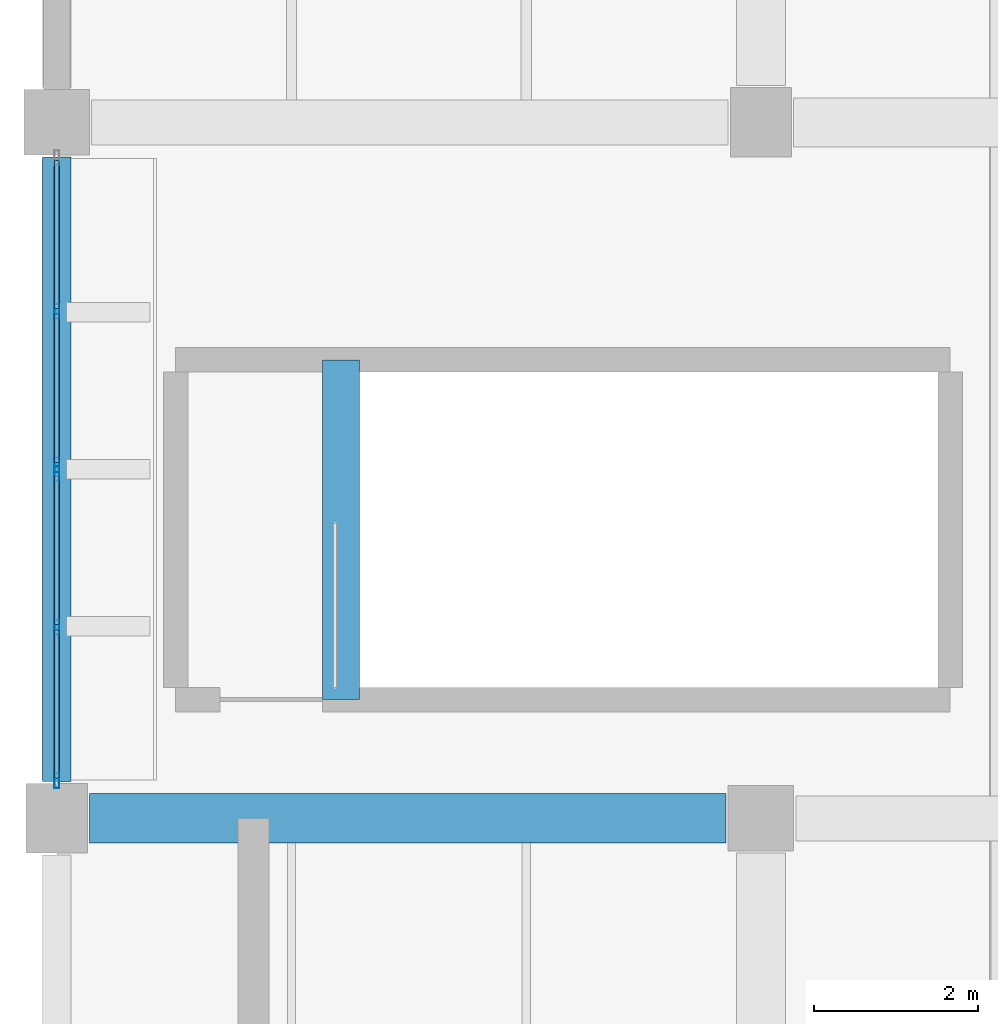
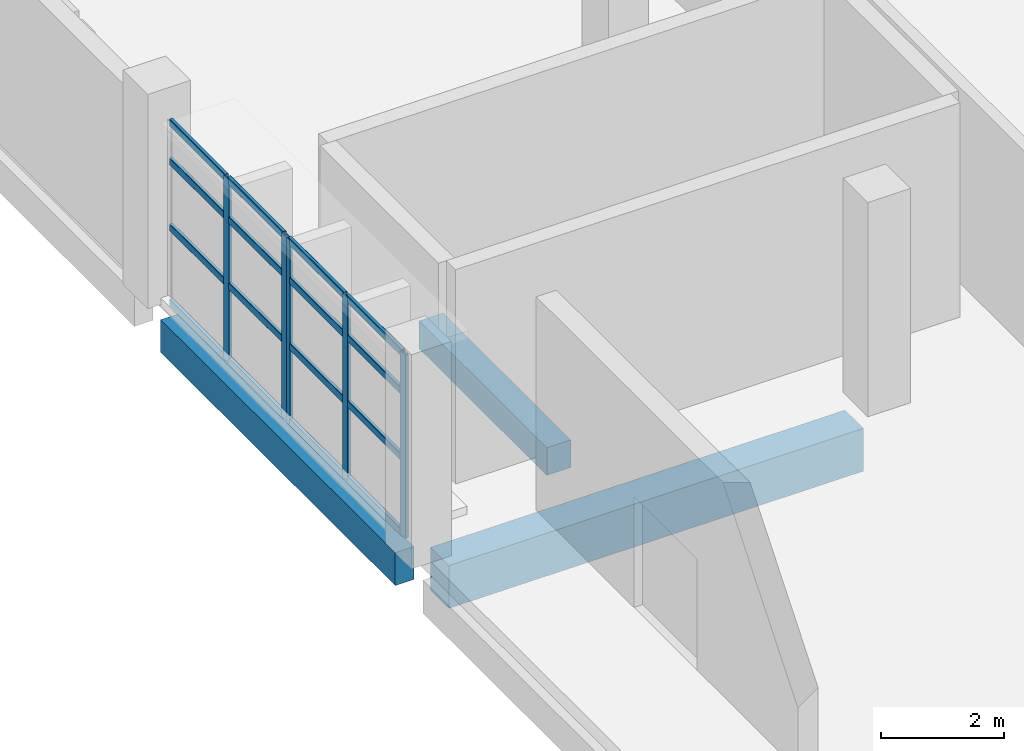
# One storey, part 40 of 76: 21 members, 3 beams, 2 elements without a shape of their own.
"""IFC4 building model written with IfcOpenShell, lengths in metres."""

from ifc_helpers import new_model, si_unit, direction, frame, origin, origin_2d, place, context, subcontext, project, spatial, rectangle, hollow_rectangle, extrude, material, material_profile, profile_set, type_object, element, aggregate, save


model = new_model("IFC4")

# Units and contexts
model_context = context("Model", 3, precision=1e-05, world=origin(), true_north=direction((0.0, 1.0)))
body_context = subcontext(model_context, "Body", "Model", "MODEL_VIEW")
ifc_project = project(units=[si_unit("LENGTHUNIT", "METRE"), si_unit("AREAUNIT", "SQUARE_METRE"), si_unit("VOLUMEUNIT", "CUBIC_METRE"), si_unit("PLANEANGLEUNIT", "RADIAN"), si_unit("MASSUNIT", "GRAM", prefix="KILO")], contexts=[model_context])

# Site, building, storey
site_placement = place(None, origin())
site = spatial("IfcSite", under=ifc_project, at=site_placement, CompositionType="ELEMENT")
building_placement = place(site_placement, origin())
building = spatial("IfcBuilding", under=site, at=building_placement, Name="Varnakota Cinema and Media Centre", CompositionType="ELEMENT")
storey_placement = place(building_placement, origin())
storey = spatial("IfcBuildingStorey", under=building, at=storey_placement, Name="L00", CompositionType="ELEMENT", Elevation=0.0)

# Beams
ifc_material_1 = material(Name="Concrete M40", Category="concrete")
ifc_material_profile_1 = material_profile(ifc_material_1, rectangle(XDim=0.449951171875, YDim=0.550048828125, at=origin_2d()), Name="RCB 450x550")
ifc_profile_set_1 = profile_set([ifc_material_profile_1], Name="Concrete M40")
beam_type_1 = type_object("IfcBeamType", Name="BM-RC-450x550", PredefinedType="BEAM", material=ifc_profile_set_1)
beam_1_placement = place(storey_placement, frame((3.469970703125, 62.449951171875, -0.27490234375), z_axis=(0.0, 1.0, 0.0), x_axis=(-1.0, 0.0, 0.0)))
element("IfcBeam", 1, at=beam_1_placement, inside=storey, type_object=beam_type_1, Name="L00 ST-B3 stair arrival trimmer beam", PredefinedType="BEAM", context=body_context, shape_type="SweptSolid", body=[
    extrude(rectangle(XDim=0.449951171875, YDim=0.550048828125, at=origin_2d()), origin(), (0.0, 0.0, 1.0), 4.150146484375),
])
ifc_material_2 = material(Name="Concrete M35", Category="concrete")
ifc_material_profile_2 = material_profile(ifc_material_2, rectangle(XDim=0.60009765625, YDim=0.85009765625, at=origin_2d()), Name="RCB 600x850")
ifc_profile_set_2 = profile_set([ifc_material_profile_2], Name="Concrete M35")
beam_type_2 = type_object("IfcBeamType", Name="BM-RC-600x850", PredefinedType="BEAM", material=ifc_profile_set_2)
beam_2_placement = place(storey_placement, frame((0.39990234375, 61.0, -0.705078125), z_axis=(1.0, 0.0, 0.0), x_axis=(0.0, 1.0, 0.0)))
element("IfcBeam", 2, at=beam_2_placement, inside=storey, type_object=beam_type_2, Name="L00 girder A-B/8", PredefinedType="BEAM", context=body_context, shape_type="SweptSolid", body=[
    extrude(rectangle(XDim=0.60009765625, YDim=0.85009765625, at=origin_2d()), origin(), (0.0, 0.0, 1.0), 7.775146484375),
])
ifc_material_3 = material(Name="Concrete M40", Category="concrete")
ifc_material_profile_3 = material_profile(ifc_material_3, rectangle(XDim=0.35009765625, YDim=0.64990234375, at=origin_2d()), Name="RCB 350x650")
ifc_profile_set_3 = profile_set([ifc_material_profile_3], Name="Concrete M40")
beam_type_3 = type_object("IfcBeamType", Name="BM-SP-350x650", PredefinedType="SPANDREL", material=ifc_profile_set_3)
beam_3_placement = place(storey_placement, frame((0.0, 61.449951171875, -0.60498046875), z_axis=(0.0, 1.0, 0.0), x_axis=(-1.0, 0.0, 0.0)))
element("IfcBeam", 3, at=beam_3_placement, inside=storey, type_object=beam_type_3, Name="L00 girder A/8-9", PredefinedType="SPANDREL", context=body_context, shape_type="SweptSolid", body=[
    extrude(rectangle(XDim=0.35009765625, YDim=0.64990234375, at=origin_2d()), origin(), (0.0, 0.0, 1.0), 7.625),
])

# Curtain wall, members
ifc_material_4 = material(Name="Thermally broken anodised aluminium AW-6063", Category="aluminium")
curtain_wall_type = type_object("IfcCurtainWallType", Name="CW-STD-382x364", PredefinedType="USERDEFINED", material=ifc_material_4)
curtain_wall_1_placement = place(storey_placement, origin())
curtain_wall_1 = element("IfcCurtainWall", 4, at=curtain_wall_1_placement, inside=storey, type_object=curtain_wall_type, Name="L00 curtain wall CW-L00-V5-W-N-02-1", ObjectType="UNITISED CURTAIN WALL", PredefinedType="USERDEFINED")
ifc_material_5 = material(Name="Thermally broken anodised aluminium AW-6063", Category="aluminium")
ifc_material_profile_4 = material_profile(ifc_material_5, hollow_rectangle(XDim=0.06494140625, YDim=0.179931640625, WallThickness=0.00390625, InnerFilletRadius=0.00390625, OuterFilletRadius=0.008056640625, at=origin_2d()), Name="AL-MULLION 180x65x4")
ifc_profile_set_4 = profile_set([ifc_material_profile_4], Name="Thermally broken anodised aluminium AW-6063")
member_type_1 = type_object("IfcMemberType", Name="CWM-AL-180", PredefinedType="MULLION", material=ifc_profile_set_4)
member_1_placement = place(storey_placement, frame((0.0, 67.191162109375, 0.0), z_axis=(0.0, 0.0, 1.0), x_axis=(1.0, 0.0, 0.0)))
member_1 = element("IfcMember", 5, at=member_1_placement, type_object=member_type_1, Name="CW15 mullion 2", PredefinedType="MULLION", context=body_context, shape_type="SweptSolid", body=[
    extrude(hollow_rectangle(XDim=0.06494140625, YDim=0.179931640625, WallThickness=0.00390625, InnerFilletRadius=0.00390625, OuterFilletRadius=0.008056640625, at=origin_2d()), origin(), (0.0, 0.0, 1.0), 3.635009765625),
])
member_2_placement = place(storey_placement, frame((0.0, 65.31494140625, 0.0), z_axis=(0.0, 0.0, 1.0), x_axis=(1.0, 0.0, 0.0)))
member_2 = element("IfcMember", 6, at=member_2_placement, type_object=member_type_1, Name="CW15 mullion 3", PredefinedType="MULLION", context=body_context, shape_type="SweptSolid", body=[
    extrude(hollow_rectangle(XDim=0.06494140625, YDim=0.179931640625, WallThickness=0.00390625, InnerFilletRadius=0.00390625, OuterFilletRadius=0.008056640625, at=origin_2d()), origin(), (0.0, 0.0, 1.0), 3.635009765625),
])

curtain_wall_2_placement = place(storey_placement, origin())
curtain_wall_2 = element("IfcCurtainWall", 7, at=curtain_wall_2_placement, inside=storey, type_object=curtain_wall_type, Name="L00 curtain wall CW-L00-V5-W-N-02-2", ObjectType="UNITISED CURTAIN WALL", PredefinedType="USERDEFINED")
member_3_placement = place(storey_placement, frame((0.0, 65.2099609375, 0.0), z_axis=(0.0, 0.0, 1.0), x_axis=(1.0, 0.0, 0.0)))
member_3 = element("IfcMember", 8, at=member_3_placement, type_object=member_type_1, Name="CW15 mullion 1", PredefinedType="MULLION", context=body_context, shape_type="SweptSolid", body=[
    extrude(hollow_rectangle(XDim=0.06494140625, YDim=0.179931640625, WallThickness=0.00390625, InnerFilletRadius=0.00390625, OuterFilletRadius=0.008056640625, at=origin_2d()), origin(), (0.0, 0.0, 1.0), 3.635009765625),
])
member_4_placement = place(storey_placement, frame((0.0, 63.333740234375, 0.0), z_axis=(0.0, 0.0, 1.0), x_axis=(1.0, 0.0, 0.0)))
member_4 = element("IfcMember", 9, at=member_4_placement, type_object=member_type_1, Name="CW15 mullion 2", PredefinedType="MULLION", context=body_context, shape_type="SweptSolid", body=[
    extrude(hollow_rectangle(XDim=0.06494140625, YDim=0.179931640625, WallThickness=0.00390625, InnerFilletRadius=0.00390625, OuterFilletRadius=0.008056640625, at=origin_2d()), origin(), (0.0, 0.0, 1.0), 3.635009765625),
])
member_5_placement = place(storey_placement, frame((0.0, 61.45751953125, 0.0), z_axis=(0.0, 0.0, 1.0), x_axis=(1.0, 0.0, 0.0)))
member_5 = element("IfcMember", 10, at=member_5_placement, type_object=member_type_1, Name="CW15 mullion 3", PredefinedType="MULLION", context=body_context, shape_type="SweptSolid", body=[
    extrude(hollow_rectangle(XDim=0.06494140625, YDim=0.179931640625, WallThickness=0.00390625, InnerFilletRadius=0.00390625, OuterFilletRadius=0.008056640625, at=origin_2d()), origin(), (0.0, 0.0, 1.0), 3.635009765625),
])

# Member
ifc_material_6 = material(Name="Thermally broken anodised aluminium AW-6063", Category="aluminium")
ifc_material_profile_5 = material_profile(ifc_material_6, hollow_rectangle(XDim=0.06494140625, YDim=0.139892578125, WallThickness=0.00390625, InnerFilletRadius=0.00390625, OuterFilletRadius=0.008056640625, at=origin_2d()), Name="AL-TRANSOM 140x65x4")
ifc_profile_set_5 = profile_set([ifc_material_profile_5], Name="Thermally broken anodised aluminium AW-6063")
member_type_2 = type_object("IfcMemberType", Name="CWT-AL-140", PredefinedType="USERDEFINED", material=ifc_profile_set_5)
member_6_placement = place(storey_placement, frame((0.0, 69.034912109375, 0.032470703125), z_axis=(0.0, -1.0, 0.0), x_axis=(1.0, 0.0, 0.0)))
member_6 = element("IfcMember", 11, at=member_6_placement, type_object=member_type_2, Name="CW15 transom 1.1", ObjectType="TRANSOM", PredefinedType="USERDEFINED", context=body_context, shape_type="SweptSolid", body=[
    extrude(hollow_rectangle(XDim=0.06494140625, YDim=0.139892578125, WallThickness=0.00390625, InnerFilletRadius=0.00390625, OuterFilletRadius=0.008056640625, at=origin_2d()), origin(), (0.0, 0.0, 1.0), 1.811279296875),
])

member_7_placement = place(storey_placement, frame((0.0, 69.034912109375, 1.526611328125), z_axis=(0.0, -1.0, 0.0), x_axis=(1.0, 0.0, 0.0)))
member_7 = element("IfcMember", 12, at=member_7_placement, type_object=member_type_2, Name="CW15 transom 1.2", ObjectType="TRANSOM", PredefinedType="USERDEFINED", context=body_context, shape_type="SweptSolid", body=[
    extrude(hollow_rectangle(XDim=0.06494140625, YDim=0.139892578125, WallThickness=0.00390625, InnerFilletRadius=0.00390625, OuterFilletRadius=0.008056640625, at=origin_2d()), origin(), (0.0, 0.0, 1.0), 1.811279296875),
])

member_8_placement = place(storey_placement, frame((0.0, 69.034912109375, 2.835205078125), z_axis=(0.0, -1.0, 0.0), x_axis=(1.0, 0.0, 0.0)))
member_8 = element("IfcMember", 13, at=member_8_placement, type_object=member_type_2, Name="CW15 transom 1.3", ObjectType="TRANSOM", PredefinedType="USERDEFINED", context=body_context, shape_type="SweptSolid", body=[
    extrude(hollow_rectangle(XDim=0.06494140625, YDim=0.139892578125, WallThickness=0.00390625, InnerFilletRadius=0.00390625, OuterFilletRadius=0.008056640625, at=origin_2d()), origin(), (0.0, 0.0, 1.0), 1.811279296875),
])

member_9_placement = place(storey_placement, frame((0.0, 69.034912109375, 3.6025390625), z_axis=(0.0, -1.0, 0.0), x_axis=(1.0, 0.0, 0.0)))
member_9 = element("IfcMember", 14, at=member_9_placement, type_object=member_type_2, Name="CW15 transom 1.4", ObjectType="TRANSOM", PredefinedType="USERDEFINED", context=body_context, shape_type="SweptSolid", body=[
    extrude(hollow_rectangle(XDim=0.06494140625, YDim=0.139892578125, WallThickness=0.00390625, InnerFilletRadius=0.00390625, OuterFilletRadius=0.008056640625, at=origin_2d()), origin(), (0.0, 0.0, 1.0), 1.811279296875),
])

member_10_placement = place(storey_placement, frame((0.0, 67.15869140625, 0.032470703125), z_axis=(0.0, -1.0, 0.0), x_axis=(1.0, 0.0, 0.0)))
member_10 = element("IfcMember", 15, at=member_10_placement, type_object=member_type_2, Name="CW15 transom 2.1", ObjectType="TRANSOM", PredefinedType="USERDEFINED", context=body_context, shape_type="SweptSolid", body=[
    extrude(hollow_rectangle(XDim=0.06494140625, YDim=0.139892578125, WallThickness=0.00390625, InnerFilletRadius=0.00390625, OuterFilletRadius=0.008056640625, at=origin_2d()), origin(), (0.0, 0.0, 1.0), 1.811279296875),
])

member_11_placement = place(storey_placement, frame((0.0, 67.15869140625, 1.526611328125), z_axis=(0.0, -1.0, 0.0), x_axis=(1.0, 0.0, 0.0)))
member_11 = element("IfcMember", 16, at=member_11_placement, type_object=member_type_2, Name="CW15 transom 2.2", ObjectType="TRANSOM", PredefinedType="USERDEFINED", context=body_context, shape_type="SweptSolid", body=[
    extrude(hollow_rectangle(XDim=0.06494140625, YDim=0.139892578125, WallThickness=0.00390625, InnerFilletRadius=0.00390625, OuterFilletRadius=0.008056640625, at=origin_2d()), origin(), (0.0, 0.0, 1.0), 1.811279296875),
])

member_12_placement = place(storey_placement, frame((0.0, 67.15869140625, 2.835205078125), z_axis=(0.0, -1.0, 0.0), x_axis=(1.0, 0.0, 0.0)))
member_12 = element("IfcMember", 17, at=member_12_placement, type_object=member_type_2, Name="CW15 transom 2.3", ObjectType="TRANSOM", PredefinedType="USERDEFINED", context=body_context, shape_type="SweptSolid", body=[
    extrude(hollow_rectangle(XDim=0.06494140625, YDim=0.139892578125, WallThickness=0.00390625, InnerFilletRadius=0.00390625, OuterFilletRadius=0.008056640625, at=origin_2d()), origin(), (0.0, 0.0, 1.0), 1.811279296875),
])

member_13_placement = place(storey_placement, frame((0.0, 67.15869140625, 3.6025390625), z_axis=(0.0, -1.0, 0.0), x_axis=(1.0, 0.0, 0.0)))
member_13 = element("IfcMember", 18, at=member_13_placement, type_object=member_type_2, Name="CW15 transom 2.4", ObjectType="TRANSOM", PredefinedType="USERDEFINED", context=body_context, shape_type="SweptSolid", body=[
    extrude(hollow_rectangle(XDim=0.06494140625, YDim=0.139892578125, WallThickness=0.00390625, InnerFilletRadius=0.00390625, OuterFilletRadius=0.008056640625, at=origin_2d()), origin(), (0.0, 0.0, 1.0), 1.811279296875),
])

aggregate(curtain_wall_1, [member_1, member_2, member_6, member_7, member_8, member_9, member_10, member_11, member_12, member_13])

member_14_placement = place(storey_placement, frame((0.0, 65.177490234375, 0.032470703125), z_axis=(0.0, -1.0, 0.0), x_axis=(1.0, 0.0, 0.0)))
member_14 = element("IfcMember", 19, at=member_14_placement, type_object=member_type_2, Name="CW15 transom 1.1", ObjectType="TRANSOM", PredefinedType="USERDEFINED", context=body_context, shape_type="SweptSolid", body=[
    extrude(hollow_rectangle(XDim=0.06494140625, YDim=0.139892578125, WallThickness=0.00390625, InnerFilletRadius=0.00390625, OuterFilletRadius=0.008056640625, at=origin_2d()), origin(), (0.0, 0.0, 1.0), 1.811279296875),
])

member_15_placement = place(storey_placement, frame((0.0, 65.177490234375, 1.526611328125), z_axis=(0.0, -1.0, 0.0), x_axis=(1.0, 0.0, 0.0)))
member_15 = element("IfcMember", 20, at=member_15_placement, type_object=member_type_2, Name="CW15 transom 1.2", ObjectType="TRANSOM", PredefinedType="USERDEFINED", context=body_context, shape_type="SweptSolid", body=[
    extrude(hollow_rectangle(XDim=0.06494140625, YDim=0.139892578125, WallThickness=0.00390625, InnerFilletRadius=0.00390625, OuterFilletRadius=0.008056640625, at=origin_2d()), origin(), (0.0, 0.0, 1.0), 1.811279296875),
])

member_16_placement = place(storey_placement, frame((0.0, 65.177490234375, 2.835205078125), z_axis=(0.0, -1.0, 0.0), x_axis=(1.0, 0.0, 0.0)))
member_16 = element("IfcMember", 21, at=member_16_placement, type_object=member_type_2, Name="CW15 transom 1.3", ObjectType="TRANSOM", PredefinedType="USERDEFINED", context=body_context, shape_type="SweptSolid", body=[
    extrude(hollow_rectangle(XDim=0.06494140625, YDim=0.139892578125, WallThickness=0.00390625, InnerFilletRadius=0.00390625, OuterFilletRadius=0.008056640625, at=origin_2d()), origin(), (0.0, 0.0, 1.0), 1.811279296875),
])

member_17_placement = place(storey_placement, frame((0.0, 65.177490234375, 3.6025390625), z_axis=(0.0, -1.0, 0.0), x_axis=(1.0, 0.0, 0.0)))
member_17 = element("IfcMember", 22, at=member_17_placement, type_object=member_type_2, Name="CW15 transom 1.4", ObjectType="TRANSOM", PredefinedType="USERDEFINED", context=body_context, shape_type="SweptSolid", body=[
    extrude(hollow_rectangle(XDim=0.06494140625, YDim=0.139892578125, WallThickness=0.00390625, InnerFilletRadius=0.00390625, OuterFilletRadius=0.008056640625, at=origin_2d()), origin(), (0.0, 0.0, 1.0), 1.811279296875),
])

member_18_placement = place(storey_placement, frame((0.0, 63.30126953125, 0.032470703125), z_axis=(0.0, -1.0, 0.0), x_axis=(1.0, 0.0, 0.0)))
member_18 = element("IfcMember", 23, at=member_18_placement, type_object=member_type_2, Name="CW15 transom 2.1", ObjectType="TRANSOM", PredefinedType="USERDEFINED", context=body_context, shape_type="SweptSolid", body=[
    extrude(hollow_rectangle(XDim=0.06494140625, YDim=0.139892578125, WallThickness=0.00390625, InnerFilletRadius=0.00390625, OuterFilletRadius=0.008056640625, at=origin_2d()), origin(), (0.0, 0.0, 1.0), 1.811279296875),
])

member_19_placement = place(storey_placement, frame((0.0, 63.30126953125, 1.526611328125), z_axis=(0.0, -1.0, 0.0), x_axis=(1.0, 0.0, 0.0)))
member_19 = element("IfcMember", 24, at=member_19_placement, type_object=member_type_2, Name="CW15 transom 2.2", ObjectType="TRANSOM", PredefinedType="USERDEFINED", context=body_context, shape_type="SweptSolid", body=[
    extrude(hollow_rectangle(XDim=0.06494140625, YDim=0.139892578125, WallThickness=0.00390625, InnerFilletRadius=0.00390625, OuterFilletRadius=0.008056640625, at=origin_2d()), origin(), (0.0, 0.0, 1.0), 1.811279296875),
])

member_20_placement = place(storey_placement, frame((0.0, 63.30126953125, 2.835205078125), z_axis=(0.0, -1.0, 0.0), x_axis=(1.0, 0.0, 0.0)))
member_20 = element("IfcMember", 25, at=member_20_placement, type_object=member_type_2, Name="CW15 transom 2.3", ObjectType="TRANSOM", PredefinedType="USERDEFINED", context=body_context, shape_type="SweptSolid", body=[
    extrude(hollow_rectangle(XDim=0.06494140625, YDim=0.139892578125, WallThickness=0.00390625, InnerFilletRadius=0.00390625, OuterFilletRadius=0.008056640625, at=origin_2d()), origin(), (0.0, 0.0, 1.0), 1.811279296875),
])

member_21_placement = place(storey_placement, frame((0.0, 63.30126953125, 3.6025390625), z_axis=(0.0, -1.0, 0.0), x_axis=(1.0, 0.0, 0.0)))
member_21 = element("IfcMember", 26, at=member_21_placement, type_object=member_type_2, Name="CW15 transom 2.4", ObjectType="TRANSOM", PredefinedType="USERDEFINED", context=body_context, shape_type="SweptSolid", body=[
    extrude(hollow_rectangle(XDim=0.06494140625, YDim=0.139892578125, WallThickness=0.00390625, InnerFilletRadius=0.00390625, OuterFilletRadius=0.008056640625, at=origin_2d()), origin(), (0.0, 0.0, 1.0), 1.811279296875),
])

aggregate(curtain_wall_2, [member_3, member_4, member_5, member_14, member_15, member_16, member_17, member_18, member_19, member_20, member_21])

save(model, "model.ifc")
